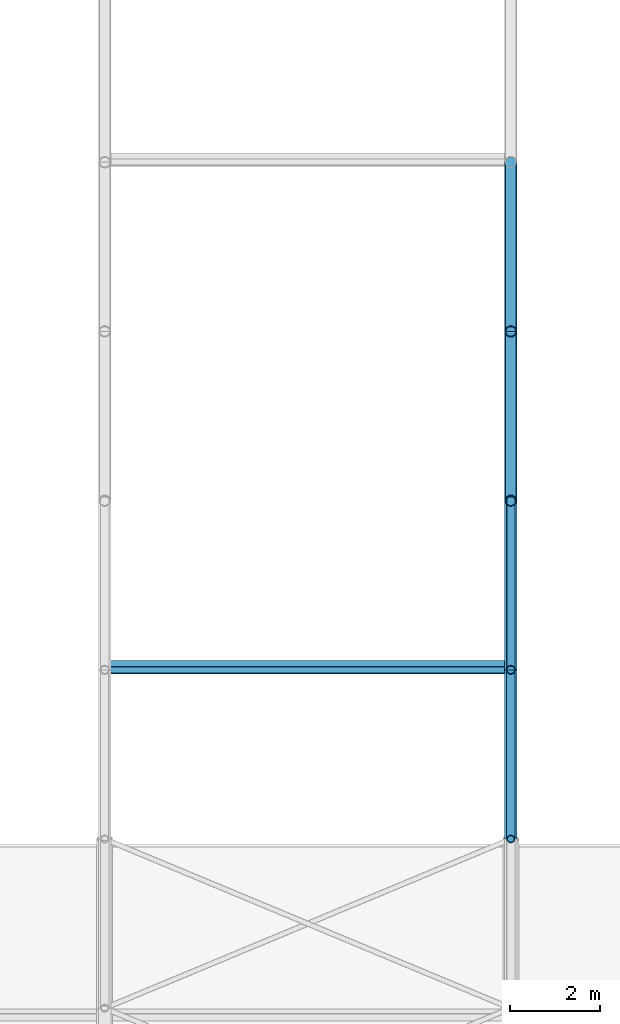
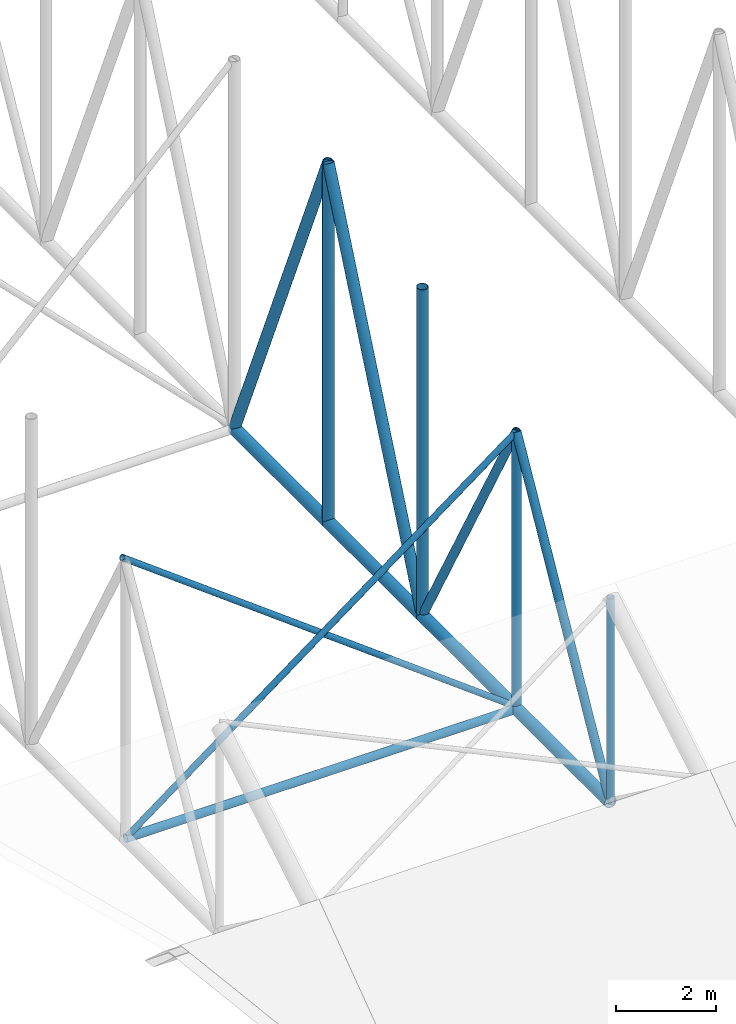
# One storey, part 31 of 153: 15 members.
"""IFC4 building model written with IfcOpenShell, lengths in metres."""

from ifc_helpers import new_model, si_unit, direction, frame, origin, origin_2d, place, context, subcontext, project, spatial, hollow_circle, extrude, material, material_profile, profile_set, type_object, element, save


model = new_model("IFC4")

# Units and contexts
model_context = context("Model", 3, precision=1e-05, world=origin(), true_north=direction((0.0, 1.0)))
body_context = subcontext(model_context, "Body", "Model", "MODEL_VIEW")
ifc_project = project(units=[si_unit("LENGTHUNIT", "METRE"), si_unit("AREAUNIT", "SQUARE_METRE"), si_unit("VOLUMEUNIT", "CUBIC_METRE"), si_unit("PLANEANGLEUNIT", "RADIAN"), si_unit("MASSUNIT", "GRAM", prefix="KILO")], contexts=[model_context])

# Site, building, storey
site_placement = place(None, origin())
site = spatial("IfcSite", under=ifc_project, at=site_placement, CompositionType="ELEMENT")
building_placement = place(site_placement, origin())
building = spatial("IfcBuilding", under=site, at=building_placement, Name="Baradari Gate Terminus", CompositionType="ELEMENT")
storey_placement = place(building_placement, frame((0.0, 0.0, 11.699951171875)))
storey = spatial("IfcBuildingStorey", under=building, at=storey_placement, Name="L02", CompositionType="ELEMENT", Elevation=11.699951171875)

# Members
ifc_material_1 = material(Name="Steel S355", Category="steel")
ifc_material_profile_1 = material_profile(ifc_material_1, hollow_circle(Radius=0.136474609375, WallThickness=0.012451171875, at=origin_2d()), Name="CHS 273x12.5")
ifc_profile_set_1 = profile_set([ifc_material_profile_1], Name="Steel S355")
member_type_1 = type_object("IfcMemberType", Name="Shed bottom chord CHS 273x12.5", PredefinedType="CHORD", material=ifc_profile_set_1)
for number, where, z_axis, x_axis, name in (
    (1, (126.0, 43.5, 0.136474609375), (0.0, 1.0, 0.0), (-1.0, 0.0, 0.0), "TR/L02/S126-BC02"),
    (2, (126.0, 47.25, 0.136474609375), (0.0, 1.0, 0.0), (-1.0, 0.0, 0.0), "TR/L02/S126-BC03"),
    (3, (126.0, 51.0, 0.136474609375), (0.0, 1.0, 0.0), (-1.0, 0.0, 0.0), "TR/L02/S126-BC04"),
    (4, (126.0, 54.75, 0.136474609375), (0.0, 1.0, 0.0), (-1.0, 0.0, 0.0), "TR/L02/S126-BC05"),
):
    element("IfcMember", number, at=place(storey_placement, frame(where, z_axis=z_axis, x_axis=x_axis)), inside=storey, type_object=member_type_1, Name=name, PredefinedType="CHORD", context=body_context, shape_type="SweptSolid", body=[
        extrude(hollow_circle(Radius=0.136474609375, WallThickness=0.012451171875, at=origin_2d()), origin(), (0.0, 0.0, 1.0), 3.75),
    ])
ifc_material_2 = material(Name="Steel S355", Category="steel")
ifc_material_profile_2 = material_profile(ifc_material_2, hollow_circle(Radius=0.096923828125, WallThickness=0.008056640625, at=origin_2d()), Name="CHS 193.7x8")
ifc_profile_set_2 = profile_set([ifc_material_profile_2], Name="Steel S355")
member_type_2 = type_object("IfcMemberType", Name="Shed bottom strut CHS 193.7x8", PredefinedType="STRUT", material=ifc_profile_set_2)
member_1_placement = place(storey_placement, frame((117.0, 47.25, 0.136474609375), z_axis=(1.0, 0.0, 0.0), x_axis=(0.0, 1.0, 0.0)))
element("IfcMember", 5, at=member_1_placement, inside=storey, type_object=member_type_2, Name="TR/L02/B126-ST03", PredefinedType="STRUT", context=body_context, shape_type="SweptSolid", body=[
    extrude(hollow_circle(Radius=0.096923828125, WallThickness=0.008056640625, at=origin_2d()), origin(), (0.0, 0.0, 1.0), 9.0),
])
ifc_material_3 = material(Name="Steel S355", Category="steel")
ifc_material_profile_3 = material_profile(ifc_material_3, hollow_circle(Radius=0.096923828125, WallThickness=0.008056640625, at=origin_2d()), Name="CHS 193.7x8")
ifc_profile_set_3 = profile_set([ifc_material_profile_3], Name="Steel S355")
member_type_3 = type_object("IfcMemberType", Name="Shed truss diagonal CHS 193.7x8", PredefinedType="BRACE", material=ifc_profile_set_3)
for number, where, z_axis, x_axis, name in (
    (6, (126.0, 47.25, 6.886474609375), (0.0, -0.485642931179, -0.874157276122), (1.0, 0.0, 0.0), "TR/L02/S126-SD02"),
    (7, (126.0, 47.25, 6.886474609375), (0.0, 0.485642931179, -0.874157276122), (-1.0, 0.0, 0.0), "TR/L02/S126-SD03"),
):
    element("IfcMember", number, at=place(storey_placement, frame(where, z_axis=z_axis, x_axis=x_axis)), inside=storey, type_object=member_type_3, Name=name, PredefinedType="BRACE", context=body_context, shape_type="SweptSolid", body=[
        extrude(hollow_circle(Radius=0.096923828125, WallThickness=0.008056640625, at=origin_2d()), origin(), (0.0, 0.0, 1.0), 7.7216796875),
    ])
ifc_material_4 = material(Name="Steel S355", Category="steel")
ifc_material_profile_4 = material_profile(ifc_material_4, hollow_circle(Radius=0.122314453125, WallThickness=0.010009765625, at=origin_2d()), Name="CHS 244.5x10")
ifc_profile_set_4 = profile_set([ifc_material_profile_4], Name="Steel S355")
member_type_4 = type_object("IfcMemberType", Name="Shed truss diagonal CHS 244.5x10", PredefinedType="BRACE", material=ifc_profile_set_4)
for number, where, z_axis, x_axis, name in (
    (8, (126.0, 54.75, 8.886474609375), (0.0, -0.393919298579, -0.919145030018), (1.0, 0.0, 0.0), "TR/L02/S126-SD04"),
    (9, (126.0, 54.75, 8.886474609375), (0.0, 0.393919298579, -0.919145030018), (-1.0, 0.0, 0.0), "TR/L02/S126-SD05"),
):
    element("IfcMember", number, at=place(storey_placement, frame(where, z_axis=z_axis, x_axis=x_axis)), inside=storey, type_object=member_type_4, Name=name, PredefinedType="BRACE", context=body_context, shape_type="SweptSolid", body=[
        extrude(hollow_circle(Radius=0.122314453125, WallThickness=0.010009765625, at=origin_2d()), origin(), (0.0, 0.0, 1.0), 9.519775390625),
    ])
ifc_material_5 = material(Name="Steel S355", Category="steel")
ifc_material_profile_5 = material_profile(ifc_material_5, hollow_circle(Radius=0.084228515625, WallThickness=0.008056640625, at=origin_2d()), Name="CHS 168.3x8")
ifc_profile_set_5 = profile_set([ifc_material_profile_5], Name="Steel S355")
member_type_5 = type_object("IfcMemberType", Name="Shed truss post CHS 168.3x8", PredefinedType="POST", material=ifc_profile_set_5)
member_2_placement = place(storey_placement, frame((126.0, 43.5, 0.136474609375), z_axis=(0.0, 0.0, 1.0), x_axis=(1.0, 0.0, 0.0)))
element("IfcMember", 10, at=member_2_placement, inside=storey, type_object=member_type_5, Name="TR/L02/S126-SP02", PredefinedType="POST", context=body_context, shape_type="SweptSolid", body=[
    extrude(hollow_circle(Radius=0.084228515625, WallThickness=0.008056640625, at=origin_2d()), origin(), (0.0, 0.0, 1.0), 5.0),
])
ifc_material_6 = material(Name="Steel S355", Category="steel")
ifc_material_profile_6 = material_profile(ifc_material_6, hollow_circle(Radius=0.096923828125, WallThickness=0.008056640625, at=origin_2d()), Name="CHS 193.7x8")
ifc_profile_set_6 = profile_set([ifc_material_profile_6], Name="Steel S355")
member_type_6 = type_object("IfcMemberType", Name="Shed truss post CHS 193.7x8", PredefinedType="POST", material=ifc_profile_set_6)
member_3_placement = place(storey_placement, frame((126.0, 47.25, 0.136474609375), z_axis=(0.0, 0.0, 1.0), x_axis=(1.0, 0.0, 0.0)))
element("IfcMember", 11, at=member_3_placement, inside=storey, type_object=member_type_6, Name="TR/L02/S126-SP03", PredefinedType="POST", context=body_context, shape_type="SweptSolid", body=[
    extrude(hollow_circle(Radius=0.096923828125, WallThickness=0.008056640625, at=origin_2d()), origin(), (0.0, 0.0, 1.0), 6.75),
])
ifc_material_7 = material(Name="Steel S355", Category="steel")
ifc_material_profile_7 = material_profile(ifc_material_7, hollow_circle(Radius=0.122314453125, WallThickness=0.010009765625, at=origin_2d()), Name="CHS 244.5x10")
ifc_profile_set_7 = profile_set([ifc_material_profile_7], Name="Steel S355")
member_type_7 = type_object("IfcMemberType", Name="Shed truss post CHS 244.5x10", PredefinedType="POST", material=ifc_profile_set_7)
member_4_placement = place(storey_placement, frame((126.0, 51.0, 0.136474609375), z_axis=(0.0, 0.0, 1.0), x_axis=(1.0, 0.0, 0.0)))
element("IfcMember", 12, at=member_4_placement, inside=storey, type_object=member_type_7, Name="TR/L02/S126-SP04", PredefinedType="POST", context=body_context, shape_type="SweptSolid", body=[
    extrude(hollow_circle(Radius=0.122314453125, WallThickness=0.010009765625, at=origin_2d()), origin(), (0.0, 0.0, 1.0), 8.0),
])
member_5_placement = place(storey_placement, frame((126.0, 54.75, 0.136474609375), z_axis=(0.0, 0.0, 1.0), x_axis=(1.0, 0.0, 0.0)))
element("IfcMember", 13, at=member_5_placement, inside=storey, type_object=member_type_7, Name="TR/L02/S126-SP05", PredefinedType="POST", context=body_context, shape_type="SweptSolid", body=[
    extrude(hollow_circle(Radius=0.122314453125, WallThickness=0.010009765625, at=origin_2d()), origin(), (0.0, 0.0, 1.0), 8.75),
])
ifc_material_8 = material(Name="Steel S355", Category="steel")
ifc_material_profile_8 = material_profile(ifc_material_8, hollow_circle(Radius=0.06982421875, WallThickness=0.008056640625, at=origin_2d()), Name="CHS 139.7x8")
ifc_profile_set_8 = profile_set([ifc_material_profile_8], Name="Steel S355")
member_type_8 = type_object("IfcMemberType", Name="Shed vertical brace CHS 139.7x8", PredefinedType="BRACE", material=ifc_profile_set_8)
for number, where, z_axis, x_axis, name in (
    (14, (117.0, 47.25, 0.136474609375), (0.8, 0.0, 0.6), (0.0, 1.0, 0.0), "TR/L02/B126-VB03A"),
    (15, (117.0, 47.3896484375, 6.886474609375), (0.8, 0.0, -0.6), (0.0, 1.0, 0.0), "TR/L02/B126-VB03B"),
):
    element("IfcMember", number, at=place(storey_placement, frame(where, z_axis=z_axis, x_axis=x_axis)), inside=storey, type_object=member_type_8, Name=name, PredefinedType="BRACE", context=body_context, shape_type="SweptSolid", body=[
        extrude(hollow_circle(Radius=0.06982421875, WallThickness=0.008056640625, at=origin_2d()), origin(), (0.0, 0.0, 1.0), 11.25),
    ])

save(model, "model.ifc")
